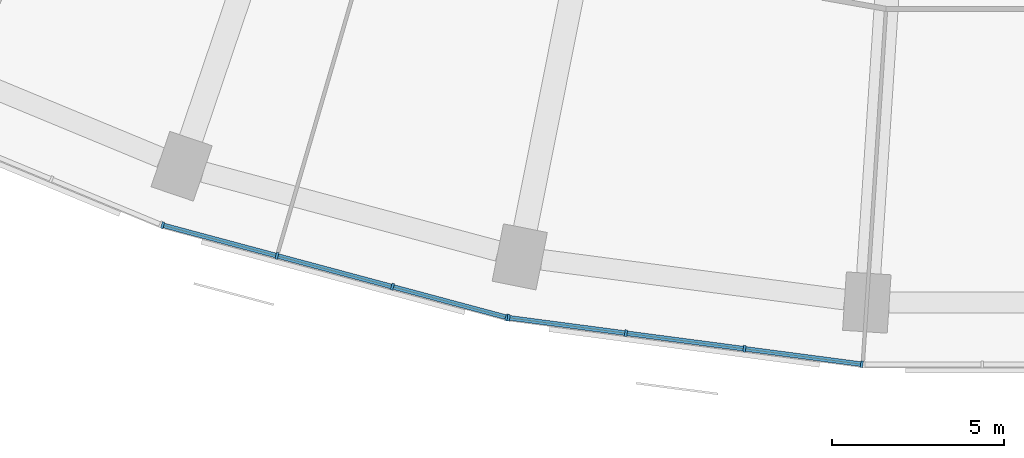
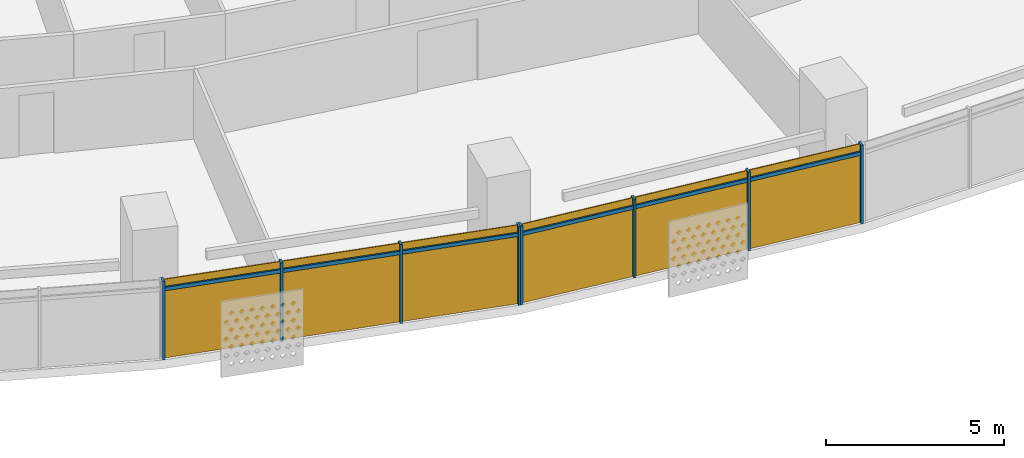
# One storey, part 20 of 31: 14 members, 2 curtain walls.
"""IFC4 building model written with IfcOpenShell, lengths in metres."""

from ifc_helpers import new_model, si_unit, direction, frame, origin, origin_2d, place, context, subcontext, project, spatial, rectangle, extrude, material, material_profile, profile_set, type_object, element, aggregate, save


model = new_model("IFC4")

# Units and contexts
model_context = context("Model", 3, precision=1e-05, world=origin(), true_north=direction((0.0, 1.0)))
body_context = subcontext(model_context, "Body", "Model", "MODEL_VIEW")
ifc_project = project(units=[si_unit("LENGTHUNIT", "METRE"), si_unit("AREAUNIT", "SQUARE_METRE"), si_unit("VOLUMEUNIT", "CUBIC_METRE"), si_unit("PLANEANGLEUNIT", "RADIAN"), si_unit("MASSUNIT", "GRAM", prefix="KILO")], contexts=[model_context])

# Member
ifc_material = material(Name="Aluminium 6063-T6 anodised", Category="aluminium")
ifc_material_profile_1 = material_profile(ifc_material, rectangle(XDim=0.199951171875, YDim=0.070068359375, at=origin_2d()))
ifc_profile_set_1 = profile_set([ifc_material_profile_1], Name="Aluminium 6063-T6 anodised")
member_type_1 = type_object("IfcMemberType", Name="Mullion 70 x 200 aluminium", PredefinedType="MULLION", material=ifc_profile_set_1)
site_placement = place(None, origin())
building_placement = place(site_placement, origin())
storey_placement = place(building_placement, frame((0.0, 0.0, 59.5)))
member_1_placement = place(storey_placement, frame((-25.54296875, -75.33544921875, 0.0), z_axis=(0.0, 0.0, 1.0), x_axis=(0.258819045103, 0.965925826289, 0.0)))
member_1 = element("IfcMember", 1, at=member_1_placement, type_object=member_type_1, Name="e-cw1-L11-out06/M00", PredefinedType="MULLION", context=body_context, shape_type="SweptSolid", body=[
    extrude(rectangle(XDim=0.199951171875, YDim=0.070068359375, at=origin_2d()), origin(), (0.0, 0.0, 1.0), 2.699951171875),
])

member_2_placement = place(storey_placement, frame((-22.22216796875, -76.225341796875, 0.0), z_axis=(0.0, 0.0, 1.0), x_axis=(0.258819045103, 0.965925826289, 0.0)))
member_2 = element("IfcMember", 2, at=member_2_placement, type_object=member_type_1, Name="e-cw1-L11-out06/M01", PredefinedType="MULLION", context=body_context, shape_type="SweptSolid", body=[
    extrude(rectangle(XDim=0.199951171875, YDim=0.070068359375, at=origin_2d()), origin(), (0.0, 0.0, 1.0), 2.699951171875),
])

member_3_placement = place(storey_placement, frame((-18.86767578125, -77.1240234375, 0.0), z_axis=(0.0, 0.0, 1.0), x_axis=(0.258819045103, 0.965925826289, 0.0)))
member_3 = element("IfcMember", 3, at=member_3_placement, type_object=member_type_1, Name="e-cw1-L11-out06/M02", PredefinedType="MULLION", context=body_context, shape_type="SweptSolid", body=[
    extrude(rectangle(XDim=0.199951171875, YDim=0.070068359375, at=origin_2d()), origin(), (0.0, 0.0, 1.0), 2.699951171875),
])

member_4_placement = place(storey_placement, frame((-15.546875, -78.013916015625, 0.0), z_axis=(0.0, 0.0, 1.0), x_axis=(0.258819045103, 0.965925826289, 0.0)))
member_4 = element("IfcMember", 4, at=member_4_placement, type_object=member_type_1, Name="e-cw1-L11-out06/M03", PredefinedType="MULLION", context=body_context, shape_type="SweptSolid", body=[
    extrude(rectangle(XDim=0.199951171875, YDim=0.070068359375, at=origin_2d()), origin(), (0.0, 0.0, 1.0), 2.699951171875),
])

member_5_placement = place(storey_placement, frame((-15.4912109375, -78.02490234375, 0.0), z_axis=(0.0, 0.0, 1.0), x_axis=(0.13052619222, 0.991444861374, 0.0)))
member_5 = element("IfcMember", 5, at=member_5_placement, type_object=member_type_1, Name="e-cw1-L11-out07/M00", PredefinedType="MULLION", context=body_context, shape_type="SweptSolid", body=[
    extrude(rectangle(XDim=0.199951171875, YDim=0.070068359375, at=origin_2d()), origin(), (0.0, 0.0, 1.0), 2.699951171875),
])

member_6_placement = place(storey_placement, frame((-12.082763671875, -78.4736328125, 0.0), z_axis=(0.0, 0.0, 1.0), x_axis=(0.13052619222, 0.991444861374, 0.0)))
member_6 = element("IfcMember", 6, at=member_6_placement, type_object=member_type_1, Name="e-cw1-L11-out07/M01", PredefinedType="MULLION", context=body_context, shape_type="SweptSolid", body=[
    extrude(rectangle(XDim=0.199951171875, YDim=0.070068359375, at=origin_2d()), origin(), (0.0, 0.0, 1.0), 2.699951171875),
])

member_7_placement = place(storey_placement, frame((-8.639404296875, -78.927001953125, 0.0), z_axis=(0.0, 0.0, 1.0), x_axis=(0.13052619222, 0.991444861374, 0.0)))
member_7 = element("IfcMember", 7, at=member_7_placement, type_object=member_type_1, Name="e-cw1-L11-out07/M02", PredefinedType="MULLION", context=body_context, shape_type="SweptSolid", body=[
    extrude(rectangle(XDim=0.199951171875, YDim=0.070068359375, at=origin_2d()), origin(), (0.0, 0.0, 1.0), 2.699951171875),
])

member_8_placement = place(storey_placement, frame((-5.23095703125, -79.375732421875, 0.0), z_axis=(0.0, 0.0, 1.0), x_axis=(0.13052619222, 0.991444861374, 0.0)))
member_8 = element("IfcMember", 8, at=member_8_placement, type_object=member_type_1, Name="e-cw1-L11-out07/M03", PredefinedType="MULLION", context=body_context, shape_type="SweptSolid", body=[
    extrude(rectangle(XDim=0.199951171875, YDim=0.070068359375, at=origin_2d()), origin(), (0.0, 0.0, 1.0), 2.699951171875),
])

ifc_material_profile_2 = material_profile(ifc_material, rectangle(XDim=0.139892578125, YDim=0.1201171875, at=origin_2d()))
ifc_profile_set_2 = profile_set([ifc_material_profile_2], Name="Aluminium 6063-T6 anodised")
member_type_2 = type_object("IfcMemberType", Name="Transom 120 x 140 aluminium", PredefinedType="USERDEFINED", material=ifc_profile_set_2)
member_9_placement = place(storey_placement, frame((-25.50927734375, -75.344482421875, 2.39990234375), z_axis=(0.965915368772, -0.258858069935, 0.0), x_axis=(0.258858069935, 0.965915368772, 0.0)))
member_9 = element("IfcMember", 9, at=member_9_placement, type_object=member_type_2, Name="e-cw1-L11-out06/T00", ObjectType="TRANSOM", PredefinedType="USERDEFINED", context=body_context, shape_type="SweptSolid", body=[
    extrude(rectangle(XDim=0.139892578125, YDim=0.1201171875, at=origin_2d()), origin(), (0.0, 0.0, 1.0), 3.367919921875),
])

member_10_placement = place(storey_placement, frame((-22.1884765625, -76.234375, 2.39990234375), z_axis=(0.965937804901, -0.258774336176, 0.0), x_axis=(0.258774336176, 0.965937804901, 0.0)))
member_10 = element("IfcMember", 10, at=member_10_placement, type_object=member_type_2, Name="e-cw1-L11-out06/T01", ObjectType="TRANSOM", PredefinedType="USERDEFINED", context=body_context, shape_type="SweptSolid", body=[
    extrude(rectangle(XDim=0.139892578125, YDim=0.1201171875, at=origin_2d()), origin(), (0.0, 0.0, 1.0), 3.403076171875),
])

member_11_placement = place(storey_placement, frame((-18.833740234375, -77.133056640625, 2.39990234375), z_axis=(0.965915368772, -0.258858069935, 0.0), x_axis=(0.258858069935, 0.965915368772, 0.0)))
member_11 = element("IfcMember", 11, at=member_11_placement, type_object=member_type_2, Name="e-cw1-L11-out06/T02", ObjectType="TRANSOM", PredefinedType="USERDEFINED", context=body_context, shape_type="SweptSolid", body=[
    extrude(rectangle(XDim=0.139892578125, YDim=0.1201171875, at=origin_2d()), origin(), (0.0, 0.0, 1.0), 3.367919921875),
])

member_12_placement = place(storey_placement, frame((-15.45654296875, -78.029541015625, 2.39990234375), z_axis=(0.9914412138, -0.130553895303, 0.0), x_axis=(0.130553895303, 0.9914412138, 0.0)))
member_12 = element("IfcMember", 12, at=member_12_placement, type_object=member_type_2, Name="e-cw1-L11-out07/T00", ObjectType="TRANSOM", PredefinedType="USERDEFINED", context=body_context, shape_type="SweptSolid", body=[
    extrude(rectangle(XDim=0.139892578125, YDim=0.1201171875, at=origin_2d()), origin(), (0.0, 0.0, 1.0), 3.367919921875),
])

member_13_placement = place(storey_placement, frame((-12.048095703125, -78.478271484375, 2.39990234375), z_axis=(0.991447700941, -0.130504621753, 0.0), x_axis=(0.130504621753, 0.991447700941, 0.0)))
member_13 = element("IfcMember", 13, at=member_13_placement, type_object=member_type_2, Name="e-cw1-L11-out07/T01", ObjectType="TRANSOM", PredefinedType="USERDEFINED", context=body_context, shape_type="SweptSolid", body=[
    extrude(rectangle(XDim=0.139892578125, YDim=0.1201171875, at=origin_2d()), origin(), (0.0, 0.0, 1.0), 3.40283203125),
])

member_14_placement = place(storey_placement, frame((-8.604736328125, -78.931640625, 2.39990234375), z_axis=(0.991450594138, -0.130482640159, 0.0), x_axis=(0.130482640159, 0.991450594138, 0.0)))
member_14 = element("IfcMember", 14, at=member_14_placement, type_object=member_type_2, Name="e-cw1-L11-out07/T02", ObjectType="TRANSOM", PredefinedType="USERDEFINED", context=body_context, shape_type="SweptSolid", body=[
    extrude(rectangle(XDim=0.139892578125, YDim=0.1201171875, at=origin_2d()), origin(), (0.0, 0.0, 1.0), 3.367919921875),
])

# Site, building, storey
site = spatial("IfcSite", under=ifc_project, at=site_placement, CompositionType="ELEMENT")
building = spatial("IfcBuilding", under=site, at=building_placement, Name="Qamariyya Broadcast Tower", CompositionType="ELEMENT")
storey = spatial("IfcBuildingStorey", under=building, at=storey_placement, Name="L11", CompositionType="ELEMENT", Elevation=59.5)

# Curtain wall
curtain_wall_type = type_object("IfcCurtainWallType", Name="Unitised curtain wall, anodised aluminium", PredefinedType="NOTDEFINED", material=ifc_material)
curtain_wall_1_placement = place(storey_placement, origin())
curtain_wall_1 = element("IfcCurtainWall", 15, at=curtain_wall_1_placement, inside=storey, type_object=curtain_wall_type, Name="e-cw1-L11-out06", PredefinedType="NOTDEFINED", context=body_context, shape_type="SweptSolid", body=[
    extrude(rectangle(XDim=3.367919921875, YDim=0.031982421875, at=origin_2d()), frame((-23.882568359375, -75.7802734375, 0.0), x_axis=(0.965925039578, -0.258821981129, 0.0)), (0.0, 0.0, 1.0), 2.340087890625),
    extrude(rectangle(XDim=3.367919921875, YDim=0.031982421875, at=origin_2d()), frame((-23.882568359375, -75.7802734375, 2.4599609375), x_axis=(0.965925039578, -0.258821981129, 0.0)), (0.0, 0.0, 1.0), 0.239990234375),
    extrude(rectangle(XDim=3.40283203125, YDim=0.031982421875, at=origin_2d()), frame((-20.544921875, -76.6748046875, 0.0), x_axis=(0.965925039578, -0.258821981129, 0.0)), (0.0, 0.0, 1.0), 2.340087890625),
    extrude(rectangle(XDim=3.40283203125, YDim=0.031982421875, at=origin_2d()), frame((-20.544921875, -76.6748046875, 2.4599609375), x_axis=(0.965925039578, -0.258821981129, 0.0)), (0.0, 0.0, 1.0), 0.239990234375),
    extrude(rectangle(XDim=3.367919921875, YDim=0.031982421875, at=origin_2d()), frame((-17.207275390625, -77.569091796875, 0.0), x_axis=(0.965925039578, -0.258821981129, 0.0)), (0.0, 0.0, 1.0), 2.340087890625),
    extrude(rectangle(XDim=3.367919921875, YDim=0.031982421875, at=origin_2d()), frame((-17.207275390625, -77.569091796875, 2.4599609375), x_axis=(0.965925039578, -0.258821981129, 0.0)), (0.0, 0.0, 1.0), 0.239990234375),
])

aggregate(curtain_wall_1, [member_1, member_2, member_3, member_4, member_9, member_10, member_11])

curtain_wall_2_placement = place(storey_placement, origin())
curtain_wall_2 = element("IfcCurtainWall", 16, at=curtain_wall_2_placement, inside=storey, type_object=curtain_wall_type, Name="e-cw1-L11-out07", PredefinedType="NOTDEFINED", context=body_context, shape_type="SweptSolid", body=[
    extrude(rectangle(XDim=3.367919921875, YDim=0.031982421875, at=origin_2d()), frame((-13.786865234375, -78.24951171875, 0.0), x_axis=(0.991445519925, -0.130521189931, 0.0)), (0.0, 0.0, 1.0), 2.340087890625),
    extrude(rectangle(XDim=3.367919921875, YDim=0.031982421875, at=origin_2d()), frame((-13.786865234375, -78.24951171875, 2.4599609375), x_axis=(0.991445519925, -0.130521189931, 0.0)), (0.0, 0.0, 1.0), 0.239990234375),
    extrude(rectangle(XDim=3.40283203125, YDim=0.031982421875, at=origin_2d()), frame((-10.361083984375, -78.700439453125, 0.0), x_axis=(0.991445519925, -0.130521189931, 0.0)), (0.0, 0.0, 1.0), 2.340087890625),
    extrude(rectangle(XDim=3.40283203125, YDim=0.031982421875, at=origin_2d()), frame((-10.361083984375, -78.700439453125, 2.4599609375), x_axis=(0.991445519925, -0.130521189931, 0.0)), (0.0, 0.0, 1.0), 0.239990234375),
    extrude(rectangle(XDim=3.367919921875, YDim=0.031982421875, at=origin_2d()), frame((-6.935302734375, -79.1513671875, 0.0), x_axis=(0.991445519925, -0.130521189931, 0.0)), (0.0, 0.0, 1.0), 2.340087890625),
    extrude(rectangle(XDim=3.367919921875, YDim=0.031982421875, at=origin_2d()), frame((-6.935302734375, -79.1513671875, 2.4599609375), x_axis=(0.991445519925, -0.130521189931, 0.0)), (0.0, 0.0, 1.0), 0.239990234375),
])

aggregate(curtain_wall_2, [member_5, member_6, member_7, member_8, member_12, member_13, member_14])

save(model, "model.ifc")
